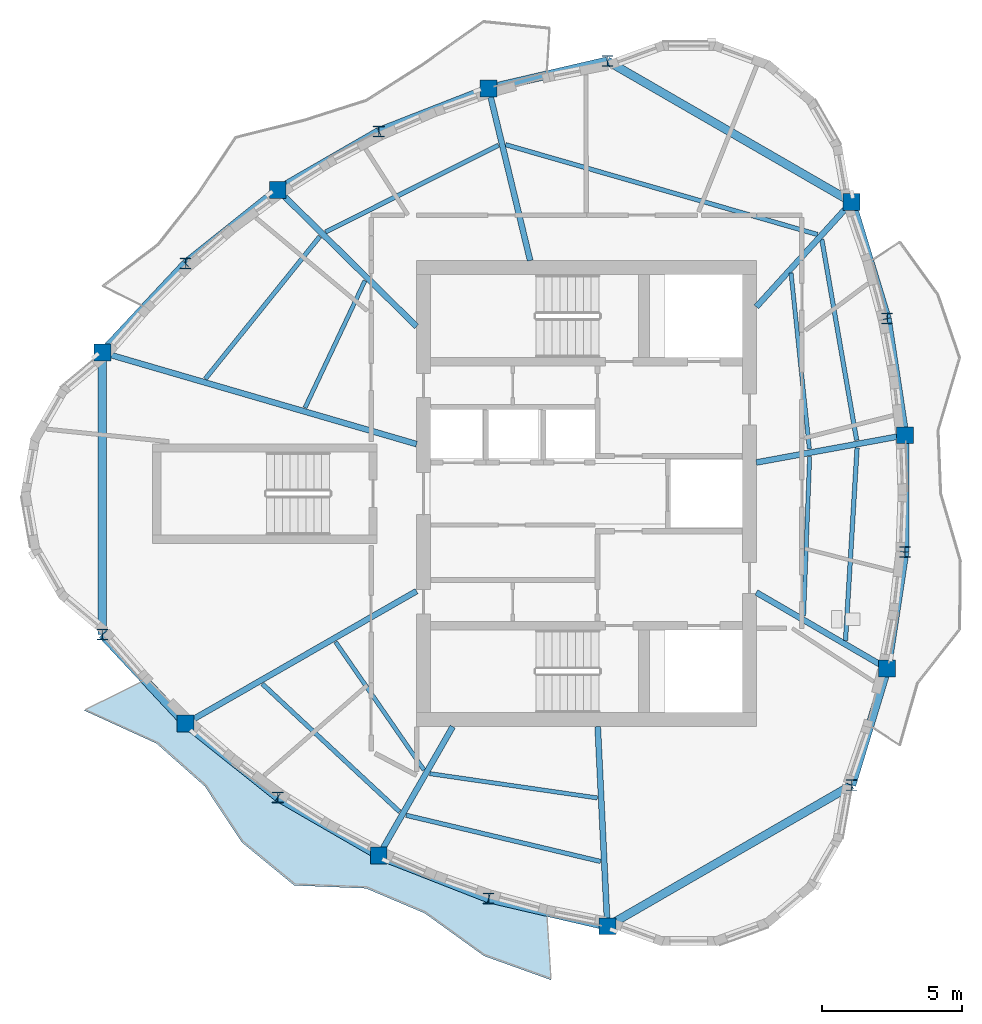
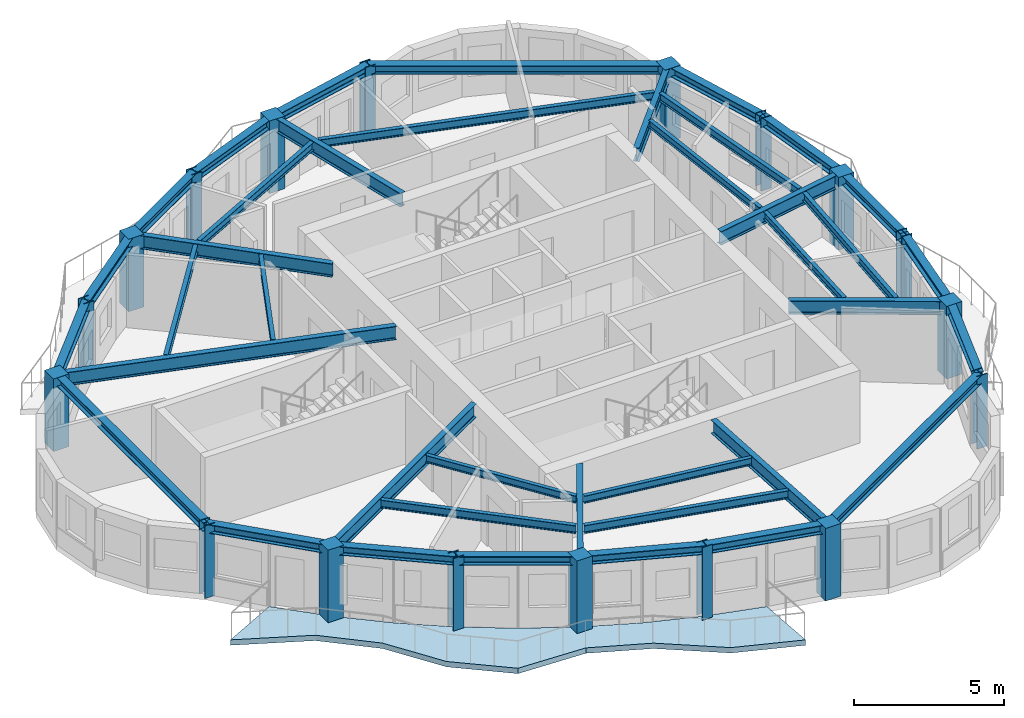
# One storey, part 1 of 11: 39 beams, 18 columns, 1 slab.
"""IFC4 building model written with IfcOpenShell, lengths in metres."""

from ifc_helpers import new_model, si_unit, direction, frame, origin, origin_2d, place, context, subcontext, project, spatial, polyline, rectangle, i_section, outline, extrude, source, transform, mapped, material, layer, layer_set, material_profile, profile_set, type_object, element, save


model = new_model("IFC4")

# Units and contexts
model_context = context("Model", 3, precision=1e-05, world=origin(), true_north=direction((0.0, 1.0)))
body_context = subcontext(model_context, "Body", "Model", "MODEL_VIEW")
ifc_project = project(units=[si_unit("LENGTHUNIT", "METRE"), si_unit("AREAUNIT", "SQUARE_METRE"), si_unit("VOLUMEUNIT", "CUBIC_METRE"), si_unit("PLANEANGLEUNIT", "RADIAN"), si_unit("MASSUNIT", "GRAM", prefix="KILO")], contexts=[model_context])

# Site, building, storey
site_placement = place(None, origin())
site = spatial("IfcSite", under=ifc_project, at=site_placement, CompositionType="ELEMENT")
building_placement = place(site_placement, origin())
building = spatial("IfcBuilding", under=site, at=building_placement, Name="Qafzar Sky-Pleat Residences", CompositionType="ELEMENT")
storey_placement = place(building_placement, frame((0.0, 0.0, 240.39990234375)))
storey = spatial("IfcBuildingStorey", under=building, at=storey_placement, Name="L72", CompositionType="ELEMENT", Elevation=240.39990234375)

# Columns
ifc_material_1 = material(Name="Concrete C50/60", Category="concrete")
ifc_material_profile_1 = material_profile(ifc_material_1, rectangle(XDim=0.60009765625, YDim=0.60009765625, at=origin_2d()), Name="RC 600x600")
ifc_profile_set_1 = profile_set([ifc_material_profile_1], Name="Concrete C50/60")
column_type_1 = type_object("IfcColumnType", Name="COL-RC-600", PredefinedType="COLUMN", material=ifc_profile_set_1)
shared_shape_1 = source(origin(), body_context, "Body", "SweptSolid", [
    extrude(rectangle(XDim=0.60009765625, YDim=0.60009765625, at=origin_2d()), origin(), (0.0, 0.0, 1.0), 2.960205078125),
])
for number, where, z_axis, x_axis, name in (
    (1, (13.110107421875, 31.02294921875, 0.0), (0.0, 0.0, 1.0), (1.0, 0.0, 0.0), "L72 Perimeter Mega Column 1"),
    (2, (16.07568359375, 17.806884765625, 0.0), (0.0, 0.0, 1.0), (1.0, 0.0, 0.0), "L72 Perimeter Mega Column 3"),
    (3, (22.9541015625, 13.106689453125, 0.0), (0.0, 0.0, 1.0), (1.0, 0.0, 0.0), "L72 Perimeter Mega Column 5"),
    (4, (31.094970703125, 10.593505859375, 0.0), (0.0, 0.0, 1.0), (1.0, 0.0, 0.0), "L72 Perimeter Mega Column 7"),
    (5, (41.0576171875, 19.769775390625, 0.0), (0.0, 0.0, 1.0), (1.0, 0.0, 0.0), "L72 Perimeter Mega Column 9"),
    (6, (41.68896484375, 28.07666015625, 0.0), (0.0, 0.0, 1.0), (1.0, 0.0, 0.0), "L72 Perimeter Mega Column 11"),
    (7, (39.794921875, 36.383544921875, 0.0), (0.0, 0.0, 1.0), (1.0, 0.0, 0.0), "L72 Perimeter Mega Column 13"),
    (8, (26.86669921875, 40.42333984375, 0.0), (0.0, 0.0, 1.0), (1.0, 0.0, 0.0), "L72 Perimeter Mega Column 15"),
    (9, (19.35693359375, 36.816650390625, 0.0), (0.0, 0.0, 1.0), (1.0, 0.0, 0.0), "L72 Perimeter Mega Column 17"),
):
    element("IfcColumn", number, at=place(storey_placement, frame(where, z_axis=z_axis, x_axis=x_axis)), inside=storey, type_object=column_type_1, Name=name, PredefinedType="COLUMN", context=body_context, shape_type="MappedRepresentation", body=[
        mapped(shared_shape_1, transform((0.0, 0.0, 0.0), x_axis=(1.0, 0.0, 0.0), y_axis=(0.0, 1.0, 0.0), z_axis=(0.0, 0.0, 1.0), scale=1.0)),
    ])
ifc_material_2 = material(Name="Steel S355", Category="steel")
ifc_material_profile_2 = material_profile(ifc_material_2, i_section(OverallWidth=0.39794921875, OverallDepth=0.386962890625, WebThickness=0.01904296875, FlangeThickness=0.030029296875, FilletRadius=0.014892578125, at=origin_2d()), Name="HD 400x262")
ifc_profile_set_2 = profile_set([ifc_material_profile_2], Name="Steel S355")
column_type_2 = type_object("IfcColumnType", Name="COL-STL-HD262", PredefinedType="PILASTER", material=ifc_profile_set_2)
shared_shape_2 = source(origin(), body_context, "Body", "SweptSolid", [
    extrude(i_section(OverallWidth=0.39794921875, OverallDepth=0.386962890625, WebThickness=0.01904296875, FlangeThickness=0.030029296875, FilletRadius=0.014892578125, at=origin_2d()), origin(), (0.0, 0.0, 1.0), 2.960205078125),
])
for number, where, z_axis, x_axis, name in (
    (10, (13.110107421875, 20.97705078125, 0.0), (0.0, 0.0, 1.0), (1.0, 0.0, 0.0), "L72 Perimeter Mega Column 2"),
    (11, (19.35693359375, 15.183349609375, 0.0), (0.0, 0.0, 1.0), (1.0, 0.0, 0.0), "L72 Perimeter Mega Column 4"),
    (12, (26.86669921875, 11.57666015625, 0.0), (0.0, 0.0, 1.0), (1.0, 0.0, 0.0), "L72 Perimeter Mega Column 6"),
    (13, (39.794921875, 15.616455078125, 0.0), (0.0, 0.0, 1.0), (1.0, 0.0, 0.0), "L72 Perimeter Mega Column 8"),
    (14, (41.68896484375, 23.92333984375, 0.0), (0.0, 0.0, 1.0), (1.0, 0.0, 0.0), "L72 Perimeter Mega Column 10"),
    (15, (41.0576171875, 32.230224609375, 0.0), (0.0, 0.0, 1.0), (1.0, 0.0, 0.0), "L72 Perimeter Mega Column 12"),
    (16, (31.094970703125, 41.406494140625, 0.0), (0.0, 0.0, 1.0), (1.0, 0.0, 0.0), "L72 Perimeter Mega Column 14"),
    (17, (22.9541015625, 38.893310546875, 0.0), (0.0, 0.0, 1.0), (1.0, 0.0, 0.0), "L72 Perimeter Mega Column 16"),
    (18, (16.07568359375, 34.193115234375, 0.0), (0.0, 0.0, 1.0), (1.0, 0.0, 0.0), "L72 Perimeter Mega Column 18"),
):
    element("IfcColumn", number, at=place(storey_placement, frame(where, z_axis=z_axis, x_axis=x_axis)), inside=storey, type_object=column_type_2, Name=name, PredefinedType="PILASTER", context=body_context, shape_type="MappedRepresentation", body=[
        mapped(shared_shape_2, transform((0.0, 0.0, 0.0), x_axis=(1.0, 0.0, 0.0), y_axis=(0.0, 1.0, 0.0), z_axis=(0.0, 0.0, 1.0), scale=1.0)),
    ])

# Beams
ifc_material_profile_3 = material_profile(ifc_material_2, i_section(OverallWidth=0.300048828125, OverallDepth=0.360107421875, WebThickness=0.012451171875, FlangeThickness=0.0224609375, FilletRadius=0.027099609375, at=origin_2d()), Name="HEB 360")
ifc_profile_set_3 = profile_set([ifc_material_profile_3], Name="Steel S355")
beam_type_1 = type_object("IfcBeamType", Name="BM-SPAN-HEB360", PredefinedType="SPANDREL", material=ifc_profile_set_3)
shared_shape_3 = source(origin(), body_context, "Body", "SweptSolid", [
    extrude(i_section(OverallWidth=0.300048828125, OverallDepth=0.360107421875, WebThickness=0.012451171875, FlangeThickness=0.0224609375, FilletRadius=0.027099609375, at=origin_2d()), origin(), (0.0, 0.0, 1.0), 10.0458984375),
])
for number, where, z_axis, x_axis, name in (
    (19, (13.110107421875, 31.02294921875, 2.778076171875), (0.0, -1.0, 0.0), (1.0, 0.0, 0.0), "L72 Perimeter Spandrel Beam 1"),
    (20, (31.094970703125, 10.593505859375, 2.778076171875), (0.866024107753, 0.500002244785, 0.0), (-0.500002244785, 0.866024107753, 0.0), "L72 Perimeter Spandrel Beam 7"),
    (21, (39.794921875, 36.383544921875, 2.778076171875), (-0.866024107753, 0.500002244785, 0.0), (-0.500002244785, -0.866024107753, 0.0), "L72 Perimeter Spandrel Beam 13"),
):
    element("IfcBeam", number, at=place(storey_placement, frame(where, z_axis=z_axis, x_axis=x_axis)), inside=storey, type_object=beam_type_1, Name=name, PredefinedType="SPANDREL", context=body_context, shape_type="MappedRepresentation", body=[
        mapped(shared_shape_3, transform((0.0, 0.0, 0.0), x_axis=(1.0, 0.0, 0.0), y_axis=(0.0, 1.0, 0.0), z_axis=(0.0, 0.0, 1.0), scale=1.0)),
    ])
shared_shape_4 = source(origin(), body_context, "Body", "SweptSolid", [
    extrude(i_section(OverallWidth=0.300048828125, OverallDepth=0.360107421875, WebThickness=0.012451171875, FlangeThickness=0.0224609375, FilletRadius=0.027099609375, at=origin_2d()), origin(), (0.0, 0.0, 1.0), 4.341064453125),
])
for number, where, z_axis, x_axis, name in (
    (22, (13.110107421875, 20.97705078125, 2.778076171875), (0.683149388691, -0.730278654166, 0.0), (0.730278654166, 0.683149388691, 0.0), "L72 Perimeter Spandrel Beam 2"),
    (23, (26.86669921875, 11.57666015625, 2.778076171875), (0.974016394528, -0.226477511448, 0.0), (0.226477511448, 0.974016394528, 0.0), "L72 Perimeter Spandrel Beam 6"),
    (24, (39.794921875, 15.616455078125, 2.778076171875), (0.290875146636, 0.956761019832, 0.0), (-0.956761019832, 0.290875146636, 0.0), "L72 Perimeter Spandrel Beam 8"),
    (25, (41.0576171875, 32.230224609375, 2.778076171875), (-0.290875146636, 0.956761019832, 0.0), (-0.956761019832, -0.290875146636, 0.0), "L72 Perimeter Spandrel Beam 12"),
    (26, (31.094970703125, 41.406494140625, 2.778076171875), (-0.974016394528, -0.226477511448, 0.0), (0.226477511448, -0.974016394528, 0.0), "L72 Perimeter Spandrel Beam 14"),
    (27, (16.07568359375, 34.193115234375, 2.778076171875), (-0.683149388691, -0.730278654166, 0.0), (0.730278654166, -0.683149388691, 0.0), "L72 Perimeter Spandrel Beam 18"),
):
    element("IfcBeam", number, at=place(storey_placement, frame(where, z_axis=z_axis, x_axis=x_axis)), inside=storey, type_object=beam_type_1, Name=name, PredefinedType="SPANDREL", context=body_context, shape_type="MappedRepresentation", body=[
        mapped(shared_shape_4, transform((0.0, 0.0, 0.0), x_axis=(1.0, 0.0, 0.0), y_axis=(0.0, 1.0, 0.0), z_axis=(0.0, 0.0, 1.0), scale=1.0)),
    ])
shared_shape_5 = source(origin(), body_context, "Body", "SweptSolid", [
    extrude(i_section(OverallWidth=0.300048828125, OverallDepth=0.360107421875, WebThickness=0.012451171875, FlangeThickness=0.0224609375, FilletRadius=0.027099609375, at=origin_2d()), origin(), (0.0, 0.0, 1.0), 4.201171875),
])
for number, where, z_axis, x_axis, name in (
    (28, (16.07568359375, 17.806884765625, 2.778076171875), (0.781038867361, -0.624482415823, 0.0), (0.624482415823, 0.781038867361, 0.0), "L72 Perimeter Spandrel Beam 3"),
    (29, (22.9541015625, 13.106689453125, 2.778076171875), (0.931322496372, -0.364195562509, 0.0), (0.364195562509, 0.931322496372, 0.0), "L72 Perimeter Spandrel Beam 5"),
    (30, (41.0576171875, 19.769775390625, 2.778076171875), (0.15027531127, 0.98864418818, 0.0), (-0.98864418818, 0.15027531127, 0.0), "L72 Perimeter Spandrel Beam 9"),
    (31, (41.68896484375, 28.07666015625, 2.778076171875), (-0.15027531127, 0.98864418818, 0.0), (-0.98864418818, -0.15027531127, 0.0), "L72 Perimeter Spandrel Beam 11"),
    (32, (26.86669921875, 40.42333984375, 2.778076171875), (-0.931322496372, -0.364195562509, 0.0), (0.364195562509, -0.931322496372, 0.0), "L72 Perimeter Spandrel Beam 15"),
    (33, (19.35693359375, 36.816650390625, 2.778076171875), (-0.781038867361, -0.624482415823, 0.0), (0.624482415823, -0.781038867361, 0.0), "L72 Perimeter Spandrel Beam 17"),
):
    element("IfcBeam", number, at=place(storey_placement, frame(where, z_axis=z_axis, x_axis=x_axis)), inside=storey, type_object=beam_type_1, Name=name, PredefinedType="SPANDREL", context=body_context, shape_type="MappedRepresentation", body=[
        mapped(shared_shape_5, transform((0.0, 0.0, 0.0), x_axis=(1.0, 0.0, 0.0), y_axis=(0.0, 1.0, 0.0), z_axis=(0.0, 0.0, 1.0), scale=1.0)),
    ])
shared_shape_6 = source(origin(), body_context, "Body", "SweptSolid", [
    extrude(i_section(OverallWidth=0.300048828125, OverallDepth=0.360107421875, WebThickness=0.012451171875, FlangeThickness=0.0224609375, FilletRadius=0.027099609375, at=origin_2d()), origin(), (0.0, 0.0, 1.0), 4.153564453125),
])
for number, where, z_axis, x_axis, name in (
    (34, (19.35693359375, 15.183349609375, 2.778076171875), (0.866042681666, -0.499970072638, 0.0), (0.499970072638, 0.866042681666, 0.0), "L72 Perimeter Spandrel Beam 4"),
    (35, (22.9541015625, 38.893310546875, 2.778076171875), (-0.866042681666, -0.499970072638, 0.0), (0.499970072638, -0.866042681666, 0.0), "L72 Perimeter Spandrel Beam 16"),
):
    element("IfcBeam", number, at=place(storey_placement, frame(where, z_axis=z_axis, x_axis=x_axis)), inside=storey, type_object=beam_type_1, Name=name, PredefinedType="SPANDREL", context=body_context, shape_type="MappedRepresentation", body=[
        mapped(shared_shape_6, transform((0.0, 0.0, 0.0), x_axis=(1.0, 0.0, 0.0), y_axis=(0.0, 1.0, 0.0), z_axis=(0.0, 0.0, 1.0), scale=1.0)),
    ])
shared_shape_7 = source(origin(), body_context, "Body", "SweptSolid", [
    extrude(i_section(OverallWidth=0.300048828125, OverallDepth=0.360107421875, WebThickness=0.012451171875, FlangeThickness=0.0224609375, FilletRadius=0.027099609375, at=origin_2d()), origin(), (0.0, 0.0, 1.0), 4.1533203125),
])
beam_1_placement = place(storey_placement, frame((41.68896484375, 23.92333984375, 2.778076171875), z_axis=(0.0, 1.0, 0.0), x_axis=(-1.0, 0.0, 0.0)))
element("IfcBeam", 36, at=beam_1_placement, inside=storey, type_object=beam_type_1, Name="L72 Perimeter Spandrel Beam 10", PredefinedType="SPANDREL", context=body_context, shape_type="MappedRepresentation", body=[
    mapped(shared_shape_7, transform((0.0, 0.0, 0.0), x_axis=(1.0, 0.0, 0.0), y_axis=(0.0, 1.0, 0.0), z_axis=(0.0, 0.0, 1.0), scale=1.0)),
])
ifc_material_profile_4 = material_profile(ifc_material_2, i_section(OverallWidth=0.2099609375, OverallDepth=0.550048828125, WebThickness=0.010986328125, FlangeThickness=0.01708984375, FilletRadius=0.02392578125, at=origin_2d()), Name="IPE 550")
ifc_profile_set_4 = profile_set([ifc_material_profile_4], Name="Steel S355")
beam_type_2 = type_object("IfcBeamType", Name="BM-SEC-IPE550", PredefinedType="BEAM", material=ifc_profile_set_4)
shared_shape_8 = source(origin(), body_context, "Body", "SweptSolid", [
    extrude(i_section(OverallWidth=0.2099609375, OverallDepth=0.550048828125, WebThickness=0.010986328125, FlangeThickness=0.01708984375, FilletRadius=0.02392578125, at=origin_2d()), origin(), (0.0, 0.0, 1.0), 11.6552734375),
])
beam_2_placement = place(storey_placement, frame((13.110107421875, 31.02294921875, 2.68310546875), z_axis=(0.96008019559, -0.279724897061, 0.0), x_axis=(0.279724897061, 0.96008019559, 0.0)))
element("IfcBeam", 37, at=beam_2_placement, inside=storey, type_object=beam_type_2, Name="L72 Radial Floor Girder 1", PredefinedType="BEAM", context=body_context, shape_type="MappedRepresentation", body=[
    mapped(shared_shape_8, transform((0.0, 0.0, 0.0), x_axis=(1.0, 0.0, 0.0), y_axis=(0.0, 1.0, 0.0), z_axis=(0.0, 0.0, 1.0), scale=1.0)),
])
shared_shape_9 = source(origin(), body_context, "Body", "SweptSolid", [
    extrude(i_section(OverallWidth=0.2099609375, OverallDepth=0.550048828125, WebThickness=0.010986328125, FlangeThickness=0.01708984375, FilletRadius=0.02392578125, at=origin_2d()), origin(), (0.0, 0.0, 1.0), 9.482666015625),
])
beam_3_placement = place(storey_placement, frame((16.07568359375, 17.806884765625, 2.68310546875), z_axis=(0.867295706559, 0.497793287806, 0.0), x_axis=(-0.497793287806, 0.867295706559, 0.0)))
element("IfcBeam", 38, at=beam_3_placement, inside=storey, type_object=beam_type_2, Name="L72 Radial Floor Girder 3", PredefinedType="BEAM", context=body_context, shape_type="MappedRepresentation", body=[
    mapped(shared_shape_9, transform((0.0, 0.0, 0.0), x_axis=(1.0, 0.0, 0.0), y_axis=(0.0, 1.0, 0.0), z_axis=(0.0, 0.0, 1.0), scale=1.0)),
])
shared_shape_10 = source(origin(), body_context, "Body", "SweptSolid", [
    extrude(i_section(OverallWidth=0.2099609375, OverallDepth=0.550048828125, WebThickness=0.010986328125, FlangeThickness=0.01708984375, FilletRadius=0.02392578125, at=origin_2d()), origin(), (0.0, 0.0, 1.0), 5.295166015625),
])
beam_4_placement = place(storey_placement, frame((22.9541015625, 13.106689453125, 2.68310546875), z_axis=(0.497568238618, 0.867424837043, 0.0), x_axis=(-0.867424837043, 0.497568238618, 0.0)))
element("IfcBeam", 39, at=beam_4_placement, inside=storey, type_object=beam_type_2, Name="L72 Radial Floor Girder 5", PredefinedType="BEAM", context=body_context, shape_type="MappedRepresentation", body=[
    mapped(shared_shape_10, transform((0.0, 0.0, 0.0), x_axis=(1.0, 0.0, 0.0), y_axis=(0.0, 1.0, 0.0), z_axis=(0.0, 0.0, 1.0), scale=1.0)),
])
shared_shape_11 = source(origin(), body_context, "Body", "SweptSolid", [
    extrude(i_section(OverallWidth=0.2099609375, OverallDepth=0.550048828125, WebThickness=0.010986328125, FlangeThickness=0.01708984375, FilletRadius=0.02392578125, at=origin_2d()), origin(), (0.0, 0.0, 1.0), 7.11474609375),
])
beam_5_placement = place(storey_placement, frame((31.094970703125, 10.593505859375, 2.68310546875), z_axis=(-0.048280855979, 0.998833799461, 0.0), x_axis=(-0.998833799461, -0.048280855979, 0.0)))
element("IfcBeam", 40, at=beam_5_placement, inside=storey, type_object=beam_type_2, Name="L72 Radial Floor Girder 7", PredefinedType="BEAM", context=body_context, shape_type="MappedRepresentation", body=[
    mapped(shared_shape_11, transform((0.0, 0.0, 0.0), x_axis=(1.0, 0.0, 0.0), y_axis=(0.0, 1.0, 0.0), z_axis=(0.0, 0.0, 1.0), scale=1.0)),
])
shared_shape_12 = source(origin(), body_context, "Body", "SweptSolid", [
    extrude(i_section(OverallWidth=0.2099609375, OverallDepth=0.550048828125, WebThickness=0.010986328125, FlangeThickness=0.01708984375, FilletRadius=0.02392578125, at=origin_2d()), origin(), (0.0, 0.0, 1.0), 5.388916015625),
])
beam_6_placement = place(storey_placement, frame((41.0576171875, 19.769775390625, 2.68310546875), z_axis=(-0.864327211809, 0.502929886691, 0.0), x_axis=(-0.502929886691, -0.864327211809, 0.0)))
element("IfcBeam", 41, at=beam_6_placement, inside=storey, type_object=beam_type_2, Name="L72 Radial Floor Girder 9", PredefinedType="BEAM", context=body_context, shape_type="MappedRepresentation", body=[
    mapped(shared_shape_12, transform((0.0, 0.0, 0.0), x_axis=(1.0, 0.0, 0.0), y_axis=(0.0, 1.0, 0.0), z_axis=(0.0, 0.0, 1.0), scale=1.0)),
])
shared_shape_13 = source(origin(), body_context, "Body", "SweptSolid", [
    extrude(i_section(OverallWidth=0.2099609375, OverallDepth=0.550048828125, WebThickness=0.010986328125, FlangeThickness=0.01708984375, FilletRadius=0.02392578125, at=origin_2d()), origin(), (0.0, 0.0, 1.0), 5.376953125),
])
beam_7_placement = place(storey_placement, frame((41.68896484375, 28.07666015625, 2.68310546875), z_axis=(-0.983636609804, -0.180163869447, 0.0), x_axis=(0.180163869447, -0.983636609804, 0.0)))
element("IfcBeam", 42, at=beam_7_placement, inside=storey, type_object=beam_type_2, Name="L72 Radial Floor Girder 11", PredefinedType="BEAM", context=body_context, shape_type="MappedRepresentation", body=[
    mapped(shared_shape_13, transform((0.0, 0.0, 0.0), x_axis=(1.0, 0.0, 0.0), y_axis=(0.0, 1.0, 0.0), z_axis=(0.0, 0.0, 1.0), scale=1.0)),
])
shared_shape_14 = source(origin(), body_context, "Body", "SweptSolid", [
    extrude(i_section(OverallWidth=0.2099609375, OverallDepth=0.550048828125, WebThickness=0.010986328125, FlangeThickness=0.01708984375, FilletRadius=0.02392578125, at=origin_2d()), origin(), (0.0, 0.0, 1.0), 5.04541015625),
])
beam_8_placement = place(storey_placement, frame((39.794921875, 36.383544921875, 2.68310546875), z_axis=(-0.672879893437, -0.739751748229, 0.0), x_axis=(0.739751748229, -0.672879893437, 0.0)))
element("IfcBeam", 43, at=beam_8_placement, inside=storey, type_object=beam_type_2, Name="L72 Radial Floor Girder 13", PredefinedType="BEAM", context=body_context, shape_type="MappedRepresentation", body=[
    mapped(shared_shape_14, transform((0.0, 0.0, 0.0), x_axis=(1.0, 0.0, 0.0), y_axis=(0.0, 1.0, 0.0), z_axis=(0.0, 0.0, 1.0), scale=1.0)),
])
shared_shape_15 = source(origin(), body_context, "Body", "SweptSolid", [
    extrude(i_section(OverallWidth=0.2099609375, OverallDepth=0.550048828125, WebThickness=0.010986328125, FlangeThickness=0.01708984375, FilletRadius=0.02392578125, at=origin_2d()), origin(), (0.0, 0.0, 1.0), 6.29931640625),
])
beam_9_placement = place(storey_placement, frame((26.86669921875, 40.42333984375, 2.68310546875), z_axis=(0.234749137403, -0.972055987322, 0.0), x_axis=(0.972055987322, 0.234749137403, 0.0)))
element("IfcBeam", 44, at=beam_9_placement, inside=storey, type_object=beam_type_2, Name="L72 Radial Floor Girder 15", PredefinedType="BEAM", context=body_context, shape_type="MappedRepresentation", body=[
    mapped(shared_shape_15, transform((0.0, 0.0, 0.0), x_axis=(1.0, 0.0, 0.0), y_axis=(0.0, 1.0, 0.0), z_axis=(0.0, 0.0, 1.0), scale=1.0)),
])
shared_shape_16 = source(origin(), body_context, "Body", "SweptSolid", [
    extrude(i_section(OverallWidth=0.2099609375, OverallDepth=0.550048828125, WebThickness=0.010986328125, FlangeThickness=0.01708984375, FilletRadius=0.02392578125, at=origin_2d()), origin(), (0.0, 0.0, 1.0), 6.934814453125),
])
beam_10_placement = place(storey_placement, frame((19.35693359375, 36.816650390625, 2.68310546875), z_axis=(0.712804522082, -0.701362754429, 0.0), x_axis=(0.701362754429, 0.712804522082, 0.0)))
element("IfcBeam", 45, at=beam_10_placement, inside=storey, type_object=beam_type_2, Name="L72 Radial Floor Girder 17", PredefinedType="BEAM", context=body_context, shape_type="MappedRepresentation", body=[
    mapped(shared_shape_16, transform((0.0, 0.0, 0.0), x_axis=(1.0, 0.0, 0.0), y_axis=(0.0, 1.0, 0.0), z_axis=(0.0, 0.0, 1.0), scale=1.0)),
])
ifc_material_profile_5 = material_profile(ifc_material_2, i_section(OverallWidth=0.159912109375, OverallDepth=0.330078125, WebThickness=0.007568359375, FlangeThickness=0.011474609375, FilletRadius=0.01806640625, at=origin_2d()), Name="IPE 330")
ifc_profile_set_5 = profile_set([ifc_material_profile_5], Name="Steel S355")
beam_type_3 = type_object("IfcBeamType", Name="BM-JST-IPE330", PredefinedType="JOIST", material=ifc_profile_set_5)
shared_shape_17 = source(origin(), body_context, "Body", "SweptSolid", [
    extrude(i_section(OverallWidth=0.159912109375, OverallDepth=0.330078125, WebThickness=0.007568359375, FlangeThickness=0.011474609375, FilletRadius=0.01806640625, at=origin_2d()), origin(), (0.0, 0.0, 1.0), 6.685546875),
])
beam_11_placement = place(storey_placement, frame((18.806396484375, 19.225341796875, 2.793212890625), z_axis=(0.731731300934, -0.681593209498, 0.0), x_axis=(0.681593209498, 0.731731300934, 0.0)))
element("IfcBeam", 46, at=beam_11_placement, inside=storey, type_object=beam_type_3, Name="L72 Outer Secondary Floor Joist 2", PredefinedType="JOIST", context=body_context, shape_type="MappedRepresentation", body=[
    mapped(shared_shape_17, transform((0.0, 0.0, 0.0), x_axis=(1.0, 0.0, 0.0), y_axis=(0.0, 1.0, 0.0), z_axis=(0.0, 0.0, 1.0), scale=1.0)),
])
shared_shape_18 = source(origin(), body_context, "Body", "SweptSolid", [
    extrude(i_section(OverallWidth=0.159912109375, OverallDepth=0.330078125, WebThickness=0.007568359375, FlangeThickness=0.011474609375, FilletRadius=0.01806640625, at=origin_2d()), origin(), (0.0, 0.0, 1.0), 7.118408203125),
])
beam_12_placement = place(storey_placement, frame((23.928466796875, 14.54541015625, 2.793212890625), z_axis=(0.972874251861, -0.231334584672, 0.0), x_axis=(0.231334584672, 0.972874251861, 0.0)))
element("IfcBeam", 47, at=beam_12_placement, inside=storey, type_object=beam_type_3, Name="L72 Outer Secondary Floor Joist 3", PredefinedType="JOIST", context=body_context, shape_type="MappedRepresentation", body=[
    mapped(shared_shape_18, transform((0.0, 0.0, 0.0), x_axis=(1.0, 0.0, 0.0), y_axis=(0.0, 1.0, 0.0), z_axis=(0.0, 0.0, 1.0), scale=1.0)),
])
shared_shape_19 = source(origin(), body_context, "Body", "SweptSolid", [
    extrude(i_section(OverallWidth=0.159912109375, OverallDepth=0.330078125, WebThickness=0.007568359375, FlangeThickness=0.011474609375, FilletRadius=0.01806640625, at=origin_2d()), origin(), (0.0, 0.0, 1.0), 6.872802734375),
])
beam_13_placement = place(storey_placement, frame((39.5751953125, 20.771728515625, 2.793212890625), z_axis=(0.06010466193, 0.998192080521, 0.0), x_axis=(-0.998192080521, 0.06010466193, 0.0)))
element("IfcBeam", 48, at=beam_13_placement, inside=storey, type_object=beam_type_3, Name="L72 Outer Secondary Floor Joist 5", PredefinedType="JOIST", context=body_context, shape_type="MappedRepresentation", body=[
    mapped(shared_shape_19, transform((0.0, 0.0, 0.0), x_axis=(1.0, 0.0, 0.0), y_axis=(0.0, 1.0, 0.0), z_axis=(0.0, 0.0, 1.0), scale=1.0)),
])
shared_shape_20 = source(origin(), body_context, "Body", "SweptSolid", [
    extrude(i_section(OverallWidth=0.159912109375, OverallDepth=0.330078125, WebThickness=0.007568359375, FlangeThickness=0.011474609375, FilletRadius=0.01806640625, at=origin_2d()), origin(), (0.0, 0.0, 1.0), 7.263427734375),
])
beam_14_placement = place(storey_placement, frame((39.973388671875, 27.899658203125, 2.793212890625), z_axis=(-0.170952491458, 0.985279272929, 0.0), x_axis=(-0.985279272929, -0.170952491458, 0.0)))
element("IfcBeam", 49, at=beam_14_placement, inside=storey, type_object=beam_type_3, Name="L72 Outer Secondary Floor Joist 6", PredefinedType="JOIST", context=body_context, shape_type="MappedRepresentation", body=[
    mapped(shared_shape_20, transform((0.0, 0.0, 0.0), x_axis=(1.0, 0.0, 0.0), y_axis=(0.0, 1.0, 0.0), z_axis=(0.0, 0.0, 1.0), scale=1.0)),
])
shared_shape_21 = source(origin(), body_context, "Body", "SweptSolid", [
    extrude(i_section(OverallWidth=0.159912109375, OverallDepth=0.330078125, WebThickness=0.007568359375, FlangeThickness=0.011474609375, FilletRadius=0.01806640625, at=origin_2d()), origin(), (0.0, 0.0, 1.0), 11.56103515625),
])
beam_15_placement = place(storey_placement, frame((38.578857421875, 35.2265625, 2.793212890625), z_axis=(-0.960931233069, 0.276787220285, 0.0), x_axis=(-0.276787220285, -0.960931233069, 0.0)))
element("IfcBeam", 50, at=beam_15_placement, inside=storey, type_object=beam_type_3, Name="L72 Outer Secondary Floor Joist 7", PredefinedType="JOIST", context=body_context, shape_type="MappedRepresentation", body=[
    mapped(shared_shape_21, transform((0.0, 0.0, 0.0), x_axis=(1.0, 0.0, 0.0), y_axis=(0.0, 1.0, 0.0), z_axis=(0.0, 0.0, 1.0), scale=1.0)),
])
shared_shape_22 = source(origin(), body_context, "Body", "SweptSolid", [
    extrude(i_section(OverallWidth=0.159912109375, OverallDepth=0.330078125, WebThickness=0.007568359375, FlangeThickness=0.011474609375, FilletRadius=0.01806640625, at=origin_2d()), origin(), (0.0, 0.0, 1.0), 6.88818359375),
])
beam_16_placement = place(storey_placement, frame((27.21923828125, 38.403564453125, 2.793212890625), z_axis=(-0.894242808162, -0.447582171283, 0.0), x_axis=(0.447582171283, -0.894242808162, 0.0)))
element("IfcBeam", 51, at=beam_16_placement, inside=storey, type_object=beam_type_3, Name="L72 Outer Secondary Floor Joist 8", PredefinedType="JOIST", context=body_context, shape_type="MappedRepresentation", body=[
    mapped(shared_shape_22, transform((0.0, 0.0, 0.0), x_axis=(1.0, 0.0, 0.0), y_axis=(0.0, 1.0, 0.0), z_axis=(0.0, 0.0, 1.0), scale=1.0)),
])
shared_shape_23 = source(origin(), body_context, "Body", "SweptSolid", [
    extrude(i_section(OverallWidth=0.159912109375, OverallDepth=0.330078125, WebThickness=0.007568359375, FlangeThickness=0.011474609375, FilletRadius=0.01806640625, at=origin_2d()), origin(), (0.0, 0.0, 1.0), 6.507080078125),
])
beam_17_placement = place(storey_placement, frame((20.85400390625, 35.155029296875, 2.793212890625), z_axis=(-0.626788357925, -0.779189549705, 0.0), x_axis=(0.779189549705, -0.626788357925, 0.0)))
element("IfcBeam", 52, at=beam_17_placement, inside=storey, type_object=beam_type_3, Name="L72 Outer Secondary Floor Joist 9", PredefinedType="JOIST", context=body_context, shape_type="MappedRepresentation", body=[
    mapped(shared_shape_23, transform((0.0, 0.0, 0.0), x_axis=(1.0, 0.0, 0.0), y_axis=(0.0, 1.0, 0.0), z_axis=(0.0, 0.0, 1.0), scale=1.0)),
])
ifc_material_profile_6 = material_profile(ifc_material_2, i_section(OverallWidth=0.14990234375, OverallDepth=0.300048828125, WebThickness=0.007080078125, FlangeThickness=0.0107421875, FilletRadius=0.014892578125, at=origin_2d()), Name="IPE 300")
ifc_profile_set_6 = profile_set([ifc_material_profile_6], Name="Steel S355")
beam_type_4 = type_object("IfcBeamType", Name="BM-JST-IPE300", PredefinedType="JOIST", material=ifc_profile_set_6)
shared_shape_24 = source(origin(), body_context, "Body", "SweptSolid", [
    extrude(i_section(OverallWidth=0.14990234375, OverallDepth=0.300048828125, WebThickness=0.007080078125, FlangeThickness=0.0107421875, FilletRadius=0.014892578125, at=origin_2d()), origin(), (0.0, 0.0, 1.0), 5.540283203125),
])
beam_18_placement = place(storey_placement, frame((21.416015625, 20.716796875, 2.80810546875), z_axis=(0.568141693814, -0.822930747846, 0.0), x_axis=(0.822930747846, 0.568141693814, 0.0)))
element("IfcBeam", 53, at=beam_18_placement, inside=storey, type_object=beam_type_4, Name="L72 Inner Secondary Floor Joist 2", PredefinedType="JOIST", context=body_context, shape_type="MappedRepresentation", body=[
    mapped(shared_shape_24, transform((0.0, 0.0, 0.0), x_axis=(1.0, 0.0, 0.0), y_axis=(0.0, 1.0, 0.0), z_axis=(0.0, 0.0, 1.0), scale=1.0)),
])
shared_shape_25 = source(origin(), body_context, "Body", "SweptSolid", [
    extrude(i_section(OverallWidth=0.14990234375, OverallDepth=0.300048828125, WebThickness=0.007080078125, FlangeThickness=0.0107421875, FilletRadius=0.014892578125, at=origin_2d()), origin(), (0.0, 0.0, 1.0), 6.030029296875),
])
beam_19_placement = place(storey_placement, frame((24.77392578125, 16.027099609375, 2.80810546875), z_axis=(0.989628757921, -0.143648604226, 0.0), x_axis=(0.143648604226, 0.989628757921, 0.0)))
element("IfcBeam", 54, at=beam_19_placement, inside=storey, type_object=beam_type_4, Name="L72 Inner Secondary Floor Joist 3", PredefinedType="JOIST", context=body_context, shape_type="MappedRepresentation", body=[
    mapped(shared_shape_25, transform((0.0, 0.0, 0.0), x_axis=(1.0, 0.0, 0.0), y_axis=(0.0, 1.0, 0.0), z_axis=(0.0, 0.0, 1.0), scale=1.0)),
])
shared_shape_26 = source(origin(), body_context, "Body", "SweptSolid", [
    extrude(i_section(OverallWidth=0.14990234375, OverallDepth=0.300048828125, WebThickness=0.007080078125, FlangeThickness=0.0107421875, FilletRadius=0.014892578125, at=origin_2d()), origin(), (0.0, 0.0, 1.0), 5.686767578125),
])
beam_20_placement = place(storey_placement, frame((38.081787109375, 21.63916015625, 2.80810546875), z_axis=(0.038166020162, 0.999271412032, 0.0), x_axis=(-0.999271412032, 0.038166020162, 0.0)))
element("IfcBeam", 55, at=beam_20_placement, inside=storey, type_object=beam_type_4, Name="L72 Inner Secondary Floor Joist 5", PredefinedType="JOIST", context=body_context, shape_type="MappedRepresentation", body=[
    mapped(shared_shape_26, transform((0.0, 0.0, 0.0), x_axis=(1.0, 0.0, 0.0), y_axis=(0.0, 1.0, 0.0), z_axis=(0.0, 0.0, 1.0), scale=1.0)),
])
shared_shape_27 = source(origin(), body_context, "Body", "SweptSolid", [
    extrude(i_section(OverallWidth=0.14990234375, OverallDepth=0.300048828125, WebThickness=0.007080078125, FlangeThickness=0.0107421875, FilletRadius=0.014892578125, at=origin_2d()), origin(), (0.0, 0.0, 1.0), 6.303466796875),
])
beam_21_placement = place(storey_placement, frame((38.2900390625, 27.591064453125, 2.80810546875), z_axis=(-0.103721028673, 0.9946064288, 0.0), x_axis=(-0.9946064288, -0.103721028673, 0.0)))
element("IfcBeam", 56, at=beam_21_placement, inside=storey, type_object=beam_type_4, Name="L72 Inner Secondary Floor Joist 6", PredefinedType="JOIST", context=body_context, shape_type="MappedRepresentation", body=[
    mapped(shared_shape_27, transform((0.0, 0.0, 0.0), x_axis=(1.0, 0.0, 0.0), y_axis=(0.0, 1.0, 0.0), z_axis=(0.0, 0.0, 1.0), scale=1.0)),
])
shared_shape_28 = source(origin(), body_context, "Body", "SweptSolid", [
    extrude(i_section(OverallWidth=0.14990234375, OverallDepth=0.300048828125, WebThickness=0.007080078125, FlangeThickness=0.0107421875, FilletRadius=0.014892578125, at=origin_2d()), origin(), (0.0, 0.0, 1.0), 5.001220703125),
])
beam_22_placement = place(storey_placement, frame((22.462890625, 33.581787109375, 2.80810546875), z_axis=(-0.426652579421, -0.90441559942, 0.0), x_axis=(0.90441559942, -0.426652579421, 0.0)))
element("IfcBeam", 57, at=beam_22_placement, inside=storey, type_object=beam_type_4, Name="L72 Inner Secondary Floor Joist 9", PredefinedType="JOIST", context=body_context, shape_type="MappedRepresentation", body=[
    mapped(shared_shape_28, transform((0.0, 0.0, 0.0), x_axis=(1.0, 0.0, 0.0), y_axis=(0.0, 1.0, 0.0), z_axis=(0.0, 0.0, 1.0), scale=1.0)),
])

# Slab
ifc_material_3 = material(Name="Concrete C40/50", Category="concrete")
ifc_layer = layer(ifc_material_3, 0.219970703125)
ifc_layer_set = layer_set([ifc_layer], Name="Concrete C40/50")
slab_type = type_object("IfcSlabType", Name="SLAB-BAL-220", PredefinedType="USERDEFINED", material=ifc_layer_set)
slab_placement = place(storey_placement, frame((0.0, 0.0, -0.219970703125)))
element("IfcSlab", 58, at=slab_placement, inside=storey, type_object=slab_type, Name="L72 Pleated Stone Balcony 3", ObjectType="BALCONY", PredefinedType="USERDEFINED", context=body_context, shape_type="SweptSolid", body=[
    extrude(outline(polyline([(16.06591796875, 17.800048828125), (17.668212890625, 16.418701171875), (19.349609375, 15.174072265625), (21.110107421875, 14.06640625), (22.94970703125, 13.095458984375), (24.8681640625, 12.26171875), (26.86572265625, 11.564697265625), (28.942138671875, 11.004638671875), (29.08837890625, 8.678466796875), (26.7060546875, 9.532958984375), (24.593017578125, 11.0546875), (22.498291015625, 11.942626953125), (19.944580078125, 12.0478515625), (18.077392578125, 13.581787109375), (16.760498046875, 15.576904296875), (15.04541015625, 17.098876953125), (12.455078125, 18.28173828125), (14.542724609375, 19.318359375), (16.06591796875, 17.800048828125)])), origin(), (0.0, 0.0, 1.0), 0.219970703125),
])

save(model, "model.ifc")
